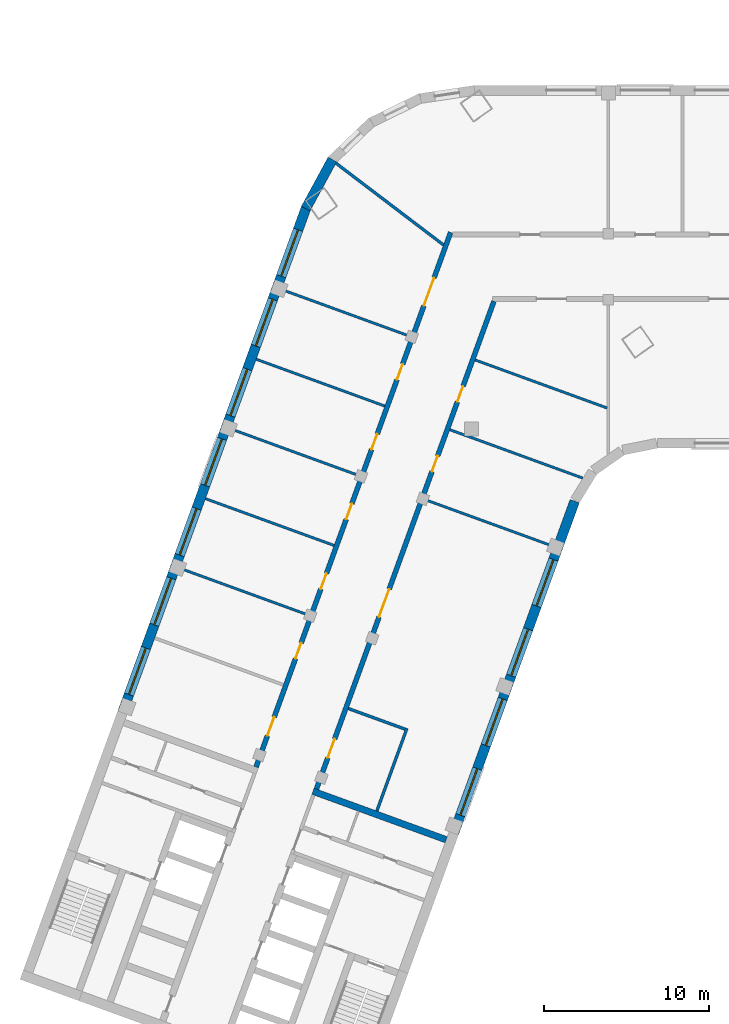
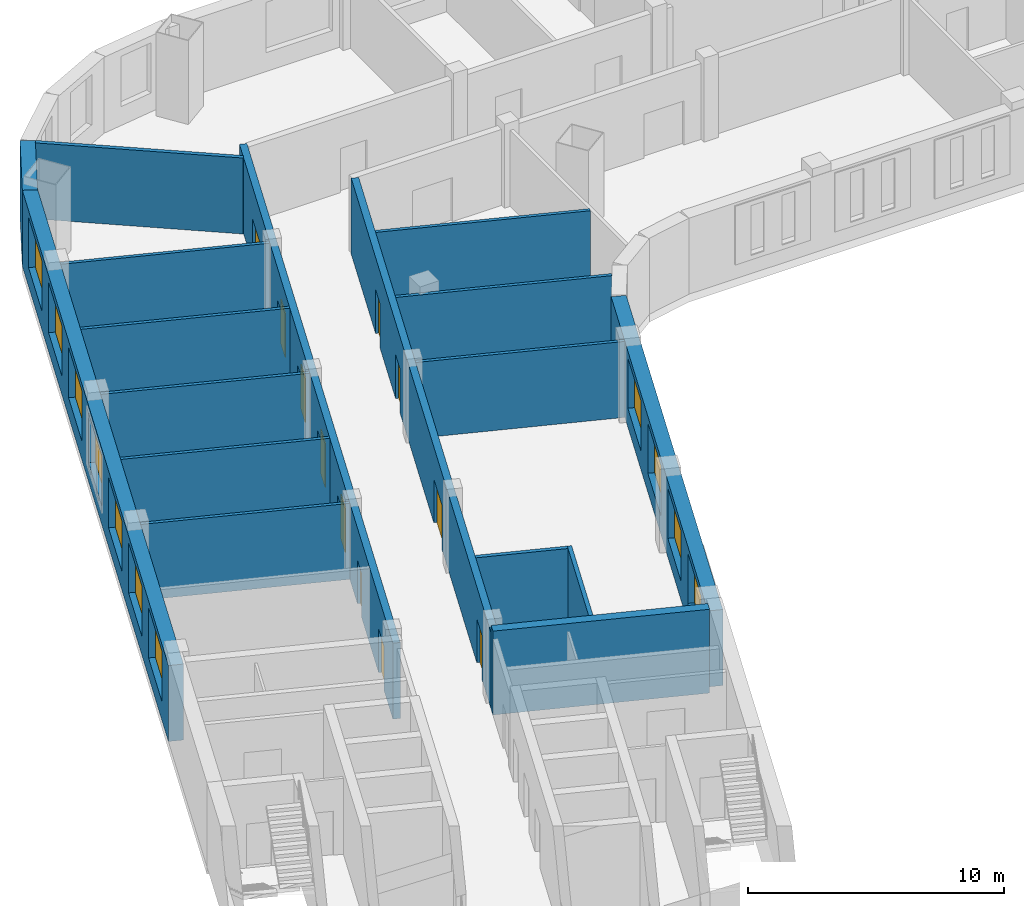
# One storey, part 5 of 11: 17 walls, 11 doors, 11 windows, 22 openings.
"""IFC4 building model written with IfcOpenShell, lengths in metres."""

import ifcopenshell
import ifcopenshell.guid

model = None  # the IFC model being written
_history = None  # IfcOwnerHistory: only IFC2X3 demands one
_inside = {}  # id of a spatial element -> (the spatial element, [elements in it])
_under = {}  # id of a project, library or spatial element -> (it, [spatial elements below it])
_declared = {}  # id of a project -> (the project, [libraries it declares])
_typed = {}  # id of a type object -> (the type object, [elements of that type])
_made_of = {}  # id of a material, layer set ... -> (it, [elements and type objects made of it])


def new_model(schema):
    """Start an empty IFC model of exactly this schema.

    Asked for "IFC4X3", IfcOpenShell would pick the latest addendum, in which some entities
    have other attributes; the version numbers below select the first issue.
    IFC2X3 requires an IfcOwnerHistory on every rooted entity: one is made here for all.
    """
    global model, _history
    if schema == "IFC4X3":
        model = ifcopenshell.file(schema_version=(4, 3, 0, 0))
    else:
        model = ifcopenshell.file(schema=schema)
    _inside.clear()
    _under.clear()
    _declared.clear()
    _typed.clear()
    _made_of.clear()
    _history = None
    if model.schema == "IFC2X3":
        org = make("IfcOrganization", Name="unknown")
        user = make(
            "IfcPersonAndOrganization",
            ThePerson=make("IfcPerson", FamilyName="unknown"),
            TheOrganization=org,
        )
        app = make(
            "IfcApplication",
            ApplicationDeveloper=org,
            Version="unknown",
            ApplicationFullName="unknown",
            ApplicationIdentifier="unknown",
        )
        _history = make(
            "IfcOwnerHistory",
            OwningUser=user,
            OwningApplication=app,
            ChangeAction="ADDED",
            CreationDate=0,
        )
    return model


def make(cls, **values):
    """One entity of the class cls with the attributes given. An attribute that is None is left unset."""
    return model.create_entity(
        cls, **{name: value for name, value in values.items() if value is not None}
    )


def rooted(cls, **values):
    """An entity with a GlobalId (a new one), such as an element, a storey or a relation."""
    return make(cls, GlobalId=ifcopenshell.guid.new(), OwnerHistory=_history, **values)


def si_unit(unit_type, name, prefix=None):
    """IfcSIUnit, for example si_unit("LENGTHUNIT", "METRE", prefix="MILLI")."""
    return make("IfcSIUnit", UnitType=unit_type, Prefix=prefix, Name=name)


def assignment(units):
    """IfcUnitAssignment: the units of a project."""
    return None if units is None else make("IfcUnitAssignment", Units=units)


def point(xyz):
    """IfcCartesianPoint."""
    return None if xyz is None else make("IfcCartesianPoint", Coordinates=xyz)


def direction(xyz):
    """IfcDirection."""
    return None if xyz is None else make("IfcDirection", DirectionRatios=xyz)


def frame(location, z_axis=None, x_axis=None):
    """IfcAxis2Placement3D, a coordinate frame: its origin and axes. An axis left out is left unset."""
    return make(
        "IfcAxis2Placement3D",
        Location=point(location),
        Axis=direction(z_axis),
        RefDirection=direction(x_axis),
    )


def frame_2d(location, x_axis=None):
    """IfcAxis2Placement2D, a coordinate frame in the plane: its origin and x axis."""
    return make(
        "IfcAxis2Placement2D", Location=point(location), RefDirection=direction(x_axis)
    )


def origin():
    """The frame at (0, 0, 0) with its axes left unset."""
    return frame((0.0, 0.0, 0.0))


def place(relative_to, where):
    """IfcLocalPlacement: puts the frame where relative to a parent placement (None: the world)."""
    return make(
        "IfcLocalPlacement", PlacementRelTo=relative_to, RelativePlacement=where
    )


def context(
    kind, dimensions, precision=None, world=None, true_north=None, identifier=None
):
    """IfcGeometricRepresentationContext, for example the 3D "Model" context."""
    return make(
        "IfcGeometricRepresentationContext",
        ContextIdentifier=identifier,
        ContextType=kind,
        CoordinateSpaceDimension=dimensions,
        Precision=precision,
        WorldCoordinateSystem=world,
        TrueNorth=true_north,
    )


def subcontext(parent, identifier, kind, view, scale=None):
    """IfcGeometricRepresentationSubContext, for example "Body" below "Model"."""
    return make(
        "IfcGeometricRepresentationSubContext",
        ContextIdentifier=identifier,
        ContextType=kind,
        ParentContext=parent,
        TargetScale=scale,
        TargetView=view,
    )


def project(units=None, contexts=None):
    """IfcProject with its units and contexts."""
    return rooted(
        "IfcProject",
        Name="project",
        RepresentationContexts=contexts,
        UnitsInContext=assignment(units),
    )


def spatial(cls, under=None, at=None, **own):
    """A site, building, storey or space (cls), placed at a placement, below another one or the project."""
    s = rooted(cls, ObjectPlacement=at, **own)
    if under is not None:
        _under.setdefault(under.id(), (under, []))[1].append(s)
    return s


def profile(cls, at=None, kind="AREA", **sizes):
    """A parametric profile (cls). Its sizes go by their IFC names, for example OverallWidth=200.0."""
    return make(cls, ProfileType=kind, Position=at, **sizes)


def rectangle(**sizes):
    """IfcRectangleProfileDef."""
    return profile("IfcRectangleProfileDef", **sizes)


def extrude(swept, where, along, depth):
    """IfcExtrudedAreaSolid: the profile swept, set in the frame where, extruded along a direction by depth."""
    return make(
        "IfcExtrudedAreaSolid",
        SweptArea=swept,
        Position=where,
        ExtrudedDirection=direction(along),
        Depth=depth,
    )


def shape(context_of_items, identifier, shape_type, items):
    """IfcShapeRepresentation: the items that make up one representation, for example the "Body"."""
    return make(
        "IfcShapeRepresentation",
        ContextOfItems=context_of_items,
        RepresentationIdentifier=identifier,
        RepresentationType=shape_type,
        Items=items,
    )


def material(Name=None, Category=None):
    """IfcMaterial."""
    return make("IfcMaterial", Name=Name, Category=Category)


def layer(
    of_material, thickness, ventilated=None, Name=None, Category=None, Priority=None
):
    """IfcMaterialLayer: one layer of a wall or slab, of a material (None: an air gap)."""
    return make(
        "IfcMaterialLayer",
        Material=of_material,
        LayerThickness=thickness,
        IsVentilated=ventilated,
        Name=Name,
        Category=Category,
        Priority=Priority,
    )


def layer_set(layers, Name=None):
    """IfcMaterialLayerSet."""
    return make("IfcMaterialLayerSet", MaterialLayers=layers, LayerSetName=Name)


def made_of(thing, what):
    """Note that an element or type object is made of a material, layer set ...; save() writes the relation."""
    if what is not None:
        _made_of.setdefault(what.id(), (what, []))[1].append(thing)
    return thing


def type_object(cls, material=None, **own):
    """A type object (cls), such as IfcWallType, which elements share."""
    return made_of(rooted(cls, **own), material)


def element(
    cls,
    number,
    at=None,
    inside=None,
    cuts=None,
    type_object=None,
    material=None,
    context=None,
    identifier="Body",
    shape_type=None,
    held_by="IfcProductDefinitionShape",
    body=None,
    shapes=None,
    **own,
):
    """One element of the class cls, such as IfcWall. Its Tag is "e" and its number.

    at: its placement. inside: the storey or other place that contains it. cuts: it is an
    opening in that element (IfcRelVoidsElement). A single representation is given by context,
    identifier, shape_type and body (its items); several are given by shapes. held_by: the class
    of the entity that holds the representations. save() writes the other relations.
    """
    e = rooted(cls, Tag="e%d" % number, ObjectPlacement=at, **own)
    if body is not None:
        shapes = [shape(context, identifier, shape_type, body)]
    if shapes is not None:
        e.Representation = make(held_by, Representations=shapes)
    if inside is not None:
        _inside.setdefault(inside.id(), (inside, []))[1].append(e)
    if cuts is not None:
        rooted(
            "IfcRelVoidsElement", RelatingBuildingElement=cuts, RelatedOpeningElement=e
        )
    if type_object is not None:
        _typed.setdefault(type_object.id(), (type_object, []))[1].append(e)
    return made_of(e, material)


def fill(opening, filler):
    """IfcRelFillsElement: the door or window that sits in an opening."""
    return rooted(
        "IfcRelFillsElement",
        RelatingOpeningElement=opening,
        RelatedBuildingElement=filler,
    )


def aggregate(whole, parts):
    """IfcRelAggregates: a whole, such as a stair, and the parts it consists of."""
    return rooted("IfcRelAggregates", RelatingObject=whole, RelatedObjects=parts)


def save(model, path):
    """Write the relations noted so far, then the file.

    IfcRelAggregates (storeys below a building ...), IfcRelContainedInSpatialStructure (elements
    in a storey), IfcRelDefinesByType, IfcRelAssociatesMaterial and IfcRelDeclares: one each for
    every whole, place, type object, material and project.
    """
    for whole, parts in _under.values():
        aggregate(whole, parts)
    for where, things in _inside.values():
        rooted(
            "IfcRelContainedInSpatialStructure",
            RelatedElements=things,
            RelatingStructure=where,
        )
    for kind, things in _typed.values():
        rooted("IfcRelDefinesByType", RelatedObjects=things, RelatingType=kind)
    for what, things in _made_of.values():
        rooted("IfcRelAssociatesMaterial", RelatedObjects=things, RelatingMaterial=what)
    for by, libraries in _declared.values():
        rooted("IfcRelDeclares", RelatingContext=by, RelatedDefinitions=libraries)
    model.write(path)


model = new_model("IFC4")

# Units and contexts
model_context = context("Model", 3, precision=1e-05, world=origin(), true_north=direction((0.0, 1.0)))
body_context = subcontext(model_context, "Body", "Model", "MODEL_VIEW")
ifc_project = project(units=[si_unit("LENGTHUNIT", "METRE"), si_unit("AREAUNIT", "SQUARE_METRE"), si_unit("VOLUMEUNIT", "CUBIC_METRE"), si_unit("PLANEANGLEUNIT", "RADIAN"), si_unit("MASSUNIT", "GRAM", prefix="KILO")], contexts=[model_context])

# Site, building, storey
site_placement = place(None, origin())
site = spatial("IfcSite", under=ifc_project, at=site_placement, CompositionType="ELEMENT")
building_placement = place(site_placement, origin())
building = spatial("IfcBuilding", under=site, at=building_placement, Name="Skarvind Civic Tower", CompositionType="ELEMENT")
storey_placement = place(building_placement, frame((0.0, 0.0, 113.0)))
storey = spatial("IfcBuildingStorey", under=building, at=storey_placement, Name="L26", CompositionType="ELEMENT", Elevation=113.0)

# Walls
ifc_material_1 = material(Name="Acoustic gypsum board on steel studs", Category="steel")
ifc_layer_1 = layer(ifc_material_1, 0.175048828125)
ifc_layer_set_1 = layer_set([ifc_layer_1], Name="ACOUSTIC MEETING-ROOM PARTITION 175")
wall_type_1 = type_object("IfcWallType", Name="ACOUSTIC MEETING-ROOM PARTITION 175", PredefinedType="PARTITIONING", material=ifc_layer_set_1)
wall_1_placement = place(storey_placement, frame((38.48193359375, 101.2060546875, 0.0), z_axis=(0.0, 0.0, 1.0), x_axis=(0.939662978983, -0.342101572531, 0.0)))
element("IfcWall", 1, at=wall_1_placement, inside=storey, type_object=wall_type_1, Name="Partition 26.007", PredefinedType="PARTITIONING", context=body_context, shape_type="SweptSolid", body=[
    extrude(rectangle(XDim=3.6630859375, YDim=0.175048828125, at=frame_2d((1.83154296875, 0.0))), origin(), (0.0, 0.0, 1.0), 3.625),
])
wall_2_placement = place(storey_placement, frame((42.035888671875, 100.0048828125, 0.0), z_axis=(0.0, 0.0, 1.0), x_axis=(-0.341908323648, -0.939733312286, 0.0)))
element("IfcWall", 2, at=wall_2_placement, inside=storey, type_object=wall_type_1, Name="Partition 26.008", PredefinedType="PARTITIONING", context=body_context, shape_type="SweptSolid", body=[
    extrude(rectangle(XDim=5.337646484375, YDim=0.175048828125, at=frame_2d((2.6689453125, 0.0))), origin(), (0.0, 0.0, 1.0), 3.625),
])
wall_3_placement = place(storey_placement, frame((44.256103515625, 129.326904296875, 0.0), z_axis=(0.0, 0.0, 1.0), x_axis=(-0.796040504107, 0.605243352563, 0.0)))
element("IfcWall", 3, at=wall_3_placement, inside=storey, type_object=wall_type_1, Name="Partition 26.011", PredefinedType="PARTITIONING", context=body_context, shape_type="SweptSolid", body=[
    extrude(rectangle(XDim=8.197021484375, YDim=0.175048828125, at=frame_2d((4.0986328125, 0.0))), origin(), (0.0, 0.0, 1.0), 3.625),
])

# Wall, openings, doors
ifc_material_2 = material(Name="Fire-rated gypsum board on steel studs", Category="steel")
ifc_layer_2 = layer(ifc_material_2, 0.300048828125)
ifc_layer_set_2 = layer_set([ifc_layer_2], Name="CORRIDOR WALL 300")
wall_type_2 = type_object("IfcWallType", Name="CORRIDOR WALL 300", PredefinedType="PARTITIONING", material=ifc_layer_set_2)
wall_4_placement = place(storey_placement, frame((32.881103515625, 97.656982421875, 0.0), z_axis=(0.0, 0.0, 1.0), x_axis=(0.342017360004, 0.939693633828, 0.0)))
wall_4 = element("IfcWall", 4, at=wall_4_placement, inside=storey, type_object=wall_type_2, Name="Partition 26.005", PredefinedType="PARTITIONING", context=body_context, shape_type="SweptSolid", body=[
    extrude(rectangle(XDim=34.515625, YDim=0.300048828125, at=frame_2d((17.2578125, 0.0))), origin(), (0.0, 0.0, 1.0), 3.625),
])
opening_1_placement = place(wall_4_placement, frame((2.02490234375, 0.0, 0.0)))
opening_1 = element("IfcOpeningElement", 5, at=opening_1_placement, cuts=wall_4, Name="Opening L26-D017", PredefinedType="OPENING", context=body_context, shape_type="SweptSolid", body=[
    extrude(rectangle(XDim=1.199951171875, YDim=2.10009765625, at=frame_2d((0.60009765625, 1.050048828125))), frame((0.0, 0.159912109375, 0.0), z_axis=(0.0, -1.0, 0.0), x_axis=(1.0, 0.0, 0.0)), (0.0, 0.0, 1.0), 0.320068359375),
])
opening_2_placement = place(wall_4_placement, frame((6.999755859375, 0.0, 0.0)))
opening_2 = element("IfcOpeningElement", 6, at=opening_2_placement, cuts=wall_4, Name="Opening L26-D018", PredefinedType="OPENING", context=body_context, shape_type="SweptSolid", body=[
    extrude(rectangle(XDim=1.0, YDim=2.10009765625, at=frame_2d((0.5, 1.050048828125))), frame((0.0, 0.159912109375, 0.0), z_axis=(0.0, -1.0, 0.0), x_axis=(1.0, 0.0, 0.0)), (0.0, 0.0, 1.0), 0.320068359375),
])
opening_3_placement = place(wall_4_placement, frame((11.500244140625, 0.0, 0.0)))
opening_3 = element("IfcOpeningElement", 7, at=opening_3_placement, cuts=wall_4, Name="Opening L26-D019", PredefinedType="OPENING", context=body_context, shape_type="SweptSolid", body=[
    extrude(rectangle(XDim=1.0, YDim=2.10009765625, at=frame_2d((0.5, 1.050048828125))), frame((0.0, 0.159912109375, 0.0), z_axis=(0.0, -1.0, 0.0), x_axis=(1.0, 0.0, 0.0)), (0.0, 0.0, 1.0), 0.320068359375),
])
opening_4_placement = place(wall_4_placement, frame((16.0, 0.0, 0.0)))
opening_4 = element("IfcOpeningElement", 8, at=opening_4_placement, cuts=wall_4, Name="Opening L26-D020", PredefinedType="OPENING", context=body_context, shape_type="SweptSolid", body=[
    extrude(rectangle(XDim=1.0, YDim=2.10009765625, at=frame_2d((0.5, 1.050048828125))), frame((0.0, 0.159912109375, 0.0), z_axis=(0.0, -1.0, 0.0), x_axis=(1.0, 0.0, 0.0)), (0.0, 0.0, 1.0), 0.320068359375),
])
opening_5_placement = place(wall_4_placement, frame((20.5, 0.0, 0.0)))
opening_5 = element("IfcOpeningElement", 9, at=opening_5_placement, cuts=wall_4, Name="Opening L26-D021", PredefinedType="OPENING", context=body_context, shape_type="SweptSolid", body=[
    extrude(rectangle(XDim=1.0, YDim=2.10009765625, at=frame_2d((0.5, 1.050048828125))), frame((0.0, 0.159912109375, 0.0), z_axis=(0.0, -1.0, 0.0), x_axis=(1.0, 0.0, 0.0)), (0.0, 0.0, 1.0), 0.320068359375),
])
opening_6_placement = place(wall_4_placement, frame((25.000244140625, 0.0, 0.0)))
opening_6 = element("IfcOpeningElement", 10, at=opening_6_placement, cuts=wall_4, Name="Opening L26-D022", PredefinedType="OPENING", context=body_context, shape_type="SweptSolid", body=[
    extrude(rectangle(XDim=1.0, YDim=2.10009765625, at=frame_2d((0.5, 1.050048828125))), frame((0.0, 0.159912109375, 0.0), z_axis=(0.0, -1.0, 0.0), x_axis=(1.0, 0.0, 0.0)), (0.0, 0.0, 1.0), 0.320068359375),
])
opening_7_placement = place(wall_4_placement, frame((29.778564453125, 0.0, 0.0)))
opening_7 = element("IfcOpeningElement", 11, at=opening_7_placement, cuts=wall_4, Name="Opening L26-D028", PredefinedType="OPENING", context=body_context, shape_type="SweptSolid", body=[
    extrude(rectangle(XDim=1.800048828125, YDim=2.10009765625, at=frame_2d((0.89990234375, 1.050048828125))), frame((0.0, 0.159912109375, 0.0), z_axis=(0.0, -1.0, 0.0), x_axis=(1.0, 0.0, 0.0)), (0.0, 0.0, 1.0), 0.320068359375),
])
ifc_material_3 = material(Name="Fire-rated timber door leaf", Category="wood")
door_type_1 = type_object("IfcDoorType", Name="FD1 1000x2100", OperationType="NOTDEFINED", PredefinedType="DOOR", material=ifc_material_3)
door_1_placement = place(opening_2_placement, origin())
door_1 = element("IfcDoor", 12, at=door_1_placement, inside=storey, type_object=door_type_1, Name="Door L26-D018", OperationType="SINGLE_SWING_LEFT", OverallHeight=2.10009765625, OverallWidth=1.0, PredefinedType="DOOR", context=body_context, shape_type="SweptSolid", body=[
    extrude(rectangle(XDim=1.0, YDim=2.10009765625, at=frame_2d((0.5, 1.050048828125))), frame((0.0, 0.02490234375, 0.0), z_axis=(0.0, -1.0, 0.0), x_axis=(1.0, 0.0, 0.0)), (0.0, 0.0, 1.0), 0.050048828125),
])
fill(opening_2, door_1)
door_2_placement = place(opening_3_placement, origin())
door_2 = element("IfcDoor", 13, at=door_2_placement, inside=storey, type_object=door_type_1, Name="Door L26-D019", OperationType="SINGLE_SWING_RIGHT", OverallHeight=2.10009765625, OverallWidth=1.0, PredefinedType="DOOR", context=body_context, shape_type="SweptSolid", body=[
    extrude(rectangle(XDim=1.0, YDim=2.10009765625, at=frame_2d((0.5, 1.050048828125))), frame((0.0, 0.02490234375, 0.0), z_axis=(0.0, -1.0, 0.0), x_axis=(1.0, 0.0, 0.0)), (0.0, 0.0, 1.0), 0.050048828125),
])
fill(opening_3, door_2)
door_3_placement = place(opening_4_placement, origin())
door_3 = element("IfcDoor", 14, at=door_3_placement, inside=storey, type_object=door_type_1, Name="Door L26-D020", OperationType="SINGLE_SWING_LEFT", OverallHeight=2.10009765625, OverallWidth=1.0, PredefinedType="DOOR", context=body_context, shape_type="SweptSolid", body=[
    extrude(rectangle(XDim=1.0, YDim=2.10009765625, at=frame_2d((0.5, 1.050048828125))), frame((0.0, 0.02490234375, 0.0), z_axis=(0.0, -1.0, 0.0), x_axis=(1.0, 0.0, 0.0)), (0.0, 0.0, 1.0), 0.050048828125),
])
fill(opening_4, door_3)
door_4_placement = place(opening_5_placement, origin())
door_4 = element("IfcDoor", 15, at=door_4_placement, inside=storey, type_object=door_type_1, Name="Door L26-D021", OperationType="SINGLE_SWING_LEFT", OverallHeight=2.10009765625, OverallWidth=1.0, PredefinedType="DOOR", context=body_context, shape_type="SweptSolid", body=[
    extrude(rectangle(XDim=1.0, YDim=2.10009765625, at=frame_2d((0.5, 1.050048828125))), frame((0.0, 0.02490234375, 0.0), z_axis=(0.0, -1.0, 0.0), x_axis=(1.0, 0.0, 0.0)), (0.0, 0.0, 1.0), 0.050048828125),
])
fill(opening_5, door_4)
door_5_placement = place(opening_6_placement, origin())
door_5 = element("IfcDoor", 16, at=door_5_placement, inside=storey, type_object=door_type_1, Name="Door L26-D022", OperationType="SINGLE_SWING_RIGHT", OverallHeight=2.10009765625, OverallWidth=1.0, PredefinedType="DOOR", context=body_context, shape_type="SweptSolid", body=[
    extrude(rectangle(XDim=1.0, YDim=2.10009765625, at=frame_2d((0.5, 1.050048828125))), frame((0.0, 0.02490234375, 0.0), z_axis=(0.0, -1.0, 0.0), x_axis=(1.0, 0.0, 0.0)), (0.0, 0.0, 1.0), 0.050048828125),
])
fill(opening_6, door_5)
door_type_2 = type_object("IfcDoorType", Name="FD4 1800x2100", OperationType="NOTDEFINED", PredefinedType="DOOR", material=ifc_material_3)
door_6_placement = place(opening_7_placement, origin())
door_6 = element("IfcDoor", 17, at=door_6_placement, inside=storey, type_object=door_type_2, Name="Door L26-D028", OperationType="DOUBLE_DOOR_SINGLE_SWING", OverallHeight=2.10009765625, OverallWidth=1.800048828125, PredefinedType="DOOR", context=body_context, shape_type="SweptSolid", body=[
    extrude(rectangle(XDim=1.800048828125, YDim=2.10009765625, at=frame_2d((0.89990234375, 1.050048828125))), frame((0.0, 0.02490234375, 0.0), z_axis=(0.0, -1.0, 0.0), x_axis=(1.0, 0.0, 0.0)), (0.0, 0.0, 1.0), 0.050048828125),
])
fill(opening_7, door_6)
door_type_3 = type_object("IfcDoorType", Name="FD6 1200x2100 DOUBLE", OperationType="NOTDEFINED", PredefinedType="DOOR", material=ifc_material_3)
door_7_placement = place(opening_1_placement, origin())
door_7 = element("IfcDoor", 18, at=door_7_placement, inside=storey, type_object=door_type_3, Name="Door L26-D017", OperationType="DOUBLE_DOOR_SINGLE_SWING", OverallHeight=2.10009765625, OverallWidth=1.199951171875, PredefinedType="DOOR", context=body_context, shape_type="SweptSolid", body=[
    extrude(rectangle(XDim=1.199951171875, YDim=2.10009765625, at=frame_2d((0.60009765625, 1.050048828125))), frame((0.0, 0.02490234375, 0.0), z_axis=(0.0, -1.0, 0.0), x_axis=(1.0, 0.0, 0.0)), (0.0, 0.0, 1.0), 0.050048828125),
])
fill(opening_1, door_7)

wall_5_placement = place(storey_placement, frame((47.31396484375, 125.908935546875, 0.0), z_axis=(0.0, 0.0, 1.0), x_axis=(-0.342010770371, -0.939696032209, 0.0)))
wall_5 = element("IfcWall", 19, at=wall_5_placement, inside=storey, type_object=wall_type_2, Name="Partition 26.014", PredefinedType="PARTITIONING", context=body_context, shape_type="SweptSolid", body=[
    extrude(rectangle(XDim=31.484619140625, YDim=0.300048828125, at=frame_2d((15.7421875, 0.0))), origin(), (0.0, 0.0, 1.0), 3.625),
])
opening_8_placement = place(wall_5_placement, frame((28.25927734375, 0.0, 0.0)))
opening_8 = element("IfcOpeningElement", 20, at=opening_8_placement, cuts=wall_5, Name="Opening L26-D023", PredefinedType="OPENING", context=body_context, shape_type="SweptSolid", body=[
    extrude(rectangle(XDim=1.199951171875, YDim=2.10009765625, at=frame_2d((0.60009765625, 1.050048828125))), frame((0.0, 0.159912109375, 0.0), z_axis=(0.0, -1.0, 0.0), x_axis=(1.0, 0.0, 0.0)), (0.0, 0.0, 1.0), 0.320068359375),
])
opening_9_placement = place(wall_5_placement, frame((18.58447265625, 0.0, 0.0)))
opening_9 = element("IfcOpeningElement", 21, at=opening_9_placement, cuts=wall_5, Name="Opening L26-D024", PredefinedType="OPENING", context=body_context, shape_type="SweptSolid", body=[
    extrude(rectangle(XDim=1.800048828125, YDim=2.10009765625, at=frame_2d((0.89990234375, 1.050048828125))), frame((0.0, 0.159912109375, 0.0), z_axis=(0.0, -1.0, 0.0), x_axis=(1.0, 0.0, 0.0)), (0.0, 0.0, 1.0), 0.320068359375),
])
opening_10_placement = place(wall_5_placement, frame((9.984619140625, 0.0, 0.0)))
opening_10 = element("IfcOpeningElement", 22, at=opening_10_placement, cuts=wall_5, Name="Opening L26-D025", PredefinedType="OPENING", context=body_context, shape_type="SweptSolid", body=[
    extrude(rectangle(XDim=1.0, YDim=2.10009765625, at=frame_2d((0.5, 1.050048828125))), frame((0.0, 0.159912109375, 0.0), z_axis=(0.0, -1.0, 0.0), x_axis=(1.0, 0.0, 0.0)), (0.0, 0.0, 1.0), 0.320068359375),
])
opening_11_placement = place(wall_5_placement, frame((5.484130859375, 0.0, 0.0)))
opening_11 = element("IfcOpeningElement", 23, at=opening_11_placement, cuts=wall_5, Name="Opening L26-D026", PredefinedType="OPENING", context=body_context, shape_type="SweptSolid", body=[
    extrude(rectangle(XDim=1.0, YDim=2.10009765625, at=frame_2d((0.5, 1.050048828125))), frame((0.0, 0.159912109375, 0.0), z_axis=(0.0, -1.0, 0.0), x_axis=(1.0, 0.0, 0.0)), (0.0, 0.0, 1.0), 0.320068359375),
])
door_8_placement = place(opening_10_placement, origin())
door_8 = element("IfcDoor", 24, at=door_8_placement, inside=storey, type_object=door_type_1, Name="Door L26-D025", OperationType="SINGLE_SWING_LEFT", OverallHeight=2.10009765625, OverallWidth=1.0, PredefinedType="DOOR", context=body_context, shape_type="SweptSolid", body=[
    extrude(rectangle(XDim=1.0, YDim=2.10009765625, at=frame_2d((0.5, 1.050048828125))), frame((0.0, 0.02490234375, 0.0), z_axis=(0.0, -1.0, 0.0), x_axis=(1.0, 0.0, 0.0)), (0.0, 0.0, 1.0), 0.050048828125),
])
fill(opening_10, door_8)
door_9_placement = place(opening_11_placement, origin())
door_9 = element("IfcDoor", 25, at=door_9_placement, inside=storey, type_object=door_type_1, Name="Door L26-D026", OperationType="SINGLE_SWING_LEFT", OverallHeight=2.10009765625, OverallWidth=1.0, PredefinedType="DOOR", context=body_context, shape_type="SweptSolid", body=[
    extrude(rectangle(XDim=1.0, YDim=2.10009765625, at=frame_2d((0.5, 1.050048828125))), frame((0.0, 0.02490234375, 0.0), z_axis=(0.0, -1.0, 0.0), x_axis=(1.0, 0.0, 0.0)), (0.0, 0.0, 1.0), 0.050048828125),
])
fill(opening_11, door_9)
door_10_placement = place(opening_9_placement, origin())
door_10 = element("IfcDoor", 26, at=door_10_placement, inside=storey, type_object=door_type_2, Name="Door L26-D024", OperationType="DOUBLE_DOOR_SINGLE_SWING", OverallHeight=2.10009765625, OverallWidth=1.800048828125, PredefinedType="DOOR", context=body_context, shape_type="SweptSolid", body=[
    extrude(rectangle(XDim=1.800048828125, YDim=2.10009765625, at=frame_2d((0.89990234375, 1.050048828125))), frame((0.0, 0.02490234375, 0.0), z_axis=(0.0, -1.0, 0.0), x_axis=(1.0, 0.0, 0.0)), (0.0, 0.0, 1.0), 0.050048828125),
])
fill(opening_9, door_10)
door_11_placement = place(opening_8_placement, origin())
door_11 = element("IfcDoor", 27, at=door_11_placement, inside=storey, type_object=door_type_3, Name="Door L26-D023", OperationType="DOUBLE_DOOR_SINGLE_SWING", OverallHeight=2.10009765625, OverallWidth=1.199951171875, PredefinedType="DOOR", context=body_context, shape_type="SweptSolid", body=[
    extrude(rectangle(XDim=1.199951171875, YDim=2.10009765625, at=frame_2d((0.60009765625, 1.050048828125))), frame((0.0, 0.02490234375, 0.0), z_axis=(0.0, -1.0, 0.0), x_axis=(1.0, 0.0, 0.0)), (0.0, 0.0, 1.0), 0.050048828125),
])
fill(opening_8, door_11)

# Walls
ifc_material_4 = material(Name="Concrete C80", Category="concrete")
ifc_layer_3 = layer(ifc_material_4, 0.39990234375)
ifc_layer_set_3 = layer_set([ifc_layer_3], Name="Core wall 400 C80")
wall_type_3 = type_object("IfcWallType", Name="Core wall 400 C80", PredefinedType="SHEAR", material=ifc_layer_set_3)
wall_6_placement = place(storey_placement, frame((44.417724609375, 93.2451171875, 0.0), z_axis=(0.0, 0.0, 1.0), x_axis=(-0.93969060187, 0.342025690201, 0.0)))
element("IfcWall", 28, at=wall_6_placement, inside=storey, type_object=wall_type_3, Name="Core wall C2 south inner face L26", PredefinedType="SHEAR", context=body_context, shape_type="SweptSolid", body=[
    extrude(rectangle(XDim=8.599853515625, YDim=0.39990234375, at=frame_2d((4.2998046875, 0.0))), origin(), (0.0, 0.0, 1.0), 4.0),
])
ifc_material_5 = material(Name="Plasterboard partition on steel studs", Category="steel")
ifc_layer_4 = layer(ifc_material_5, 0.14990234375)
ifc_layer_set_4 = layer_set([ifc_layer_4], Name="PARTITION 150")
wall_type_4 = type_object("IfcWallType", Name="PARTITION 150", PredefinedType="PARTITIONING", material=ifc_layer_set_4)
for number, where, z_axis, x_axis, name in (
    (29, (28.27490234375, 109.708984375, 0.0), (0.0, 0.0, 1.0), (0.939697205528, -0.342007546586, 0.0), "Partition 26.002"),
    (30, (29.81396484375, 113.93798828125, 0.0), (0.0, 0.0, 1.0), (0.939697205528, -0.342007546586, 0.0), "Partition 26.003"),
):
    element("IfcWall", number, at=place(storey_placement, frame(where, z_axis=z_axis, x_axis=x_axis)), inside=storey, type_object=wall_type_4, Name=name, PredefinedType="PARTITIONING", context=body_context, shape_type="SweptSolid", body=[
        extrude(rectangle(XDim=8.300537109375, YDim=0.14990234375, at=frame_2d((4.150390625, 0.0))), origin(), (0.0, 0.0, 1.0), 3.625),
    ])
wall_7_placement = place(storey_placement, frame((31.35302734375, 118.166015625, 0.0), z_axis=(0.0, 0.0, 1.0), x_axis=(0.939687752599, -0.342033518263, 0.0)))
element("IfcWall", 31, at=wall_7_placement, inside=storey, type_object=wall_type_4, Name="Partition 26.004", PredefinedType="PARTITIONING", context=body_context, shape_type="SweptSolid", body=[
    extrude(rectangle(XDim=8.30078125, YDim=0.14990234375, at=frame_2d((4.150390625, 0.0))), origin(), (0.0, 0.0, 1.0), 3.625),
])
wall_8_placement = place(storey_placement, frame((32.89208984375, 122.39501953125, 0.0), z_axis=(0.0, 0.0, 1.0), x_axis=(0.939684311623, -0.3420429717, 0.0)))
element("IfcWall", 32, at=wall_8_placement, inside=storey, type_object=wall_type_4, Name="Partition 26.006", PredefinedType="PARTITIONING", context=body_context, shape_type="SweptSolid", body=[
    extrude(rectangle(XDim=8.300537109375, YDim=0.14990234375, at=frame_2d((4.150390625, 0.0))), origin(), (0.0, 0.0, 1.0), 3.625),
])
wall_9_placement = place(storey_placement, frame((42.23095703125, 123.784912109375, 0.0), z_axis=(0.0, 0.0, 1.0), x_axis=(-0.939687752599, 0.342033518263, 0.0)))
element("IfcWall", 33, at=wall_9_placement, inside=storey, type_object=wall_type_4, Name="Partition 26.009", PredefinedType="PARTITIONING", context=body_context, shape_type="SweptSolid", body=[
    extrude(rectangle(XDim=8.30078125, YDim=0.14990234375, at=frame_2d((4.150390625, 0.0))), origin(), (0.0, 0.0, 1.0), 3.625),
])
wall_10_placement = place(storey_placement, frame((43.10009765625, 113.89111328125, 0.0), z_axis=(0.0, 0.0, 1.0), x_axis=(0.939670544866, -0.342080790328, 0.0)))
element("IfcWall", 34, at=wall_10_placement, inside=storey, type_object=wall_type_4, Name="Partition 26.010", PredefinedType="PARTITIONING", context=body_context, shape_type="SweptSolid", body=[
    extrude(rectangle(XDim=8.299560546875, YDim=0.14990234375, at=frame_2d((4.14990234375, 0.0))), origin(), (0.0, 0.0, 1.0), 3.625),
])
wall_11_placement = place(storey_placement, frame((44.638916015625, 118.1201171875, 0.0), z_axis=(0.0, 0.0, 1.0), x_axis=(0.939669707102, -0.342083091593, 0.0)))
element("IfcWall", 35, at=wall_11_placement, inside=storey, type_object=wall_type_4, Name="Partition 26.012", PredefinedType="PARTITIONING", context=body_context, shape_type="SweptSolid", body=[
    extrude(rectangle(XDim=8.58935546875, YDim=0.14990234375, at=frame_2d((4.294677734375, 0.0))), origin(), (0.0, 0.0, 1.0), 3.625),
])
wall_12_placement = place(storey_placement, frame((54.179931640625, 119.43603515625, 0.0), z_axis=(0.0, 0.0, 1.0), x_axis=(-0.939669476286, 0.342083725624, 0.0)))
element("IfcWall", 36, at=wall_12_placement, inside=storey, type_object=wall_type_4, Name="Partition 26.016", PredefinedType="PARTITIONING", context=body_context, shape_type="SweptSolid", body=[
    extrude(rectangle(XDim=8.515625, YDim=0.14990234375, at=frame_2d((4.2578125, 0.0))), origin(), (0.0, 0.0, 1.0), 3.625),
])

# Wall, openings, windows
ifc_material_6 = material(Name="Limestone masonry cladding on insulated backing", Category="masonry")
ifc_layer_5 = layer(ifc_material_6, 0.60009765625)
ifc_layer_set_5 = layer_set([ifc_layer_5], Name="WX1 STONE FACADE WALL 600")
wall_type_5 = type_object("IfcWallType", Name="WX1 STONE FACADE WALL 600", PredefinedType="SOLIDWALL", material=ifc_layer_set_5)
wall_13_placement = place(storey_placement, frame((52.212158203125, 113.78271484375, 0.0), z_axis=(0.0, 0.0, 1.0), x_axis=(-0.34202521188, -0.939690775968, 0.0)))
wall_13 = element("IfcWall", 37, at=wall_13_placement, inside=storey, type_object=wall_type_5, Name="STONE FACADE WALL", PredefinedType="SOLIDWALL", context=body_context, shape_type="SweptSolid", body=[
    extrude(rectangle(XDim=21.744873046875, YDim=0.60009765625, at=frame_2d((10.87255859375, 0.0))), origin(), (0.0, 0.0, 1.0), 3.625),
])
opening_12_placement = place(wall_13_placement, frame((3.764892578125, 0.0, 0.89990234375)))
opening_12 = element("IfcOpeningElement", 38, at=opening_12_placement, cuts=wall_13, Name="Opening WN1", PredefinedType="OPENING", context=body_context, shape_type="SweptSolid", body=[
    extrude(rectangle(XDim=3.0, YDim=2.39990234375, at=frame_2d((1.5, 1.199951171875))), frame((0.0, 0.31005859375, 0.0), z_axis=(0.0, -1.0, 0.0), x_axis=(1.0, 0.0, 0.0)), (0.0, 0.0, 1.0), 0.6201171875),
])
opening_13_placement = place(wall_13_placement, frame((8.264892578125, 0.0, 0.89990234375)))
opening_13 = element("IfcOpeningElement", 39, at=opening_13_placement, cuts=wall_13, Name="Opening WN1", PredefinedType="OPENING", context=body_context, shape_type="SweptSolid", body=[
    extrude(rectangle(XDim=3.0, YDim=2.39990234375, at=frame_2d((1.5, 1.199951171875))), frame((0.0, 0.31005859375, 0.0), z_axis=(0.0, -1.0, 0.0), x_axis=(1.0, 0.0, 0.0)), (0.0, 0.0, 1.0), 0.6201171875),
])
opening_14_placement = place(wall_13_placement, frame((12.764892578125, 0.0, 0.89990234375)))
opening_14 = element("IfcOpeningElement", 40, at=opening_14_placement, cuts=wall_13, Name="Opening WN1", PredefinedType="OPENING", context=body_context, shape_type="SweptSolid", body=[
    extrude(rectangle(XDim=3.0, YDim=2.39990234375, at=frame_2d((1.5, 1.199951171875))), frame((0.0, 0.31005859375, 0.0), z_axis=(0.0, -1.0, 0.0), x_axis=(1.0, 0.0, 0.0)), (0.0, 0.0, 1.0), 0.6201171875),
])
opening_15_placement = place(wall_13_placement, frame((17.264892578125, 0.0, 0.89990234375)))
opening_15 = element("IfcOpeningElement", 41, at=opening_15_placement, cuts=wall_13, Name="Opening WN1", PredefinedType="OPENING", context=body_context, shape_type="SweptSolid", body=[
    extrude(rectangle(XDim=3.0, YDim=2.39990234375, at=frame_2d((1.5, 1.199951171875))), frame((0.0, 0.31005859375, 0.0), z_axis=(0.0, -1.0, 0.0), x_axis=(1.0, 0.0, 0.0)), (0.0, 0.0, 1.0), 0.6201171875),
])
ifc_material_7 = material(Name="Timber frame, double glazing, timber-lined reveal", Category="wood")
window_type = type_object("IfcWindowType", Name="WN1 PUNCHED STONE WINDOW 3000 x 2400", PartitioningType="SINGLE_PANEL", PredefinedType="WINDOW", material=ifc_material_7)
window_1_placement = place(opening_12_placement, origin())
window_1 = element("IfcWindow", 42, at=window_1_placement, inside=storey, type_object=window_type, Name="WN1 WINDOW", OverallHeight=2.39990234375, OverallWidth=3.0, PartitioningType="SINGLE_PANEL", PredefinedType="WINDOW", context=body_context, shape_type="SweptSolid", body=[
    extrude(rectangle(XDim=3.0, YDim=2.39990234375, at=frame_2d((1.5, 1.199951171875))), frame((0.0, 0.030029296875, 0.0), z_axis=(0.0, -1.0, 0.0), x_axis=(1.0, 0.0, 0.0)), (0.0, 0.0, 1.0), 0.06005859375),
])
fill(opening_12, window_1)
window_2_placement = place(opening_13_placement, origin())
window_2 = element("IfcWindow", 43, at=window_2_placement, inside=storey, type_object=window_type, Name="WN1 WINDOW", OverallHeight=2.39990234375, OverallWidth=3.0, PartitioningType="SINGLE_PANEL", PredefinedType="WINDOW", context=body_context, shape_type="SweptSolid", body=[
    extrude(rectangle(XDim=3.0, YDim=2.39990234375, at=frame_2d((1.5, 1.199951171875))), frame((0.0, 0.030029296875, 0.0), z_axis=(0.0, -1.0, 0.0), x_axis=(1.0, 0.0, 0.0)), (0.0, 0.0, 1.0), 0.06005859375),
])
fill(opening_13, window_2)
window_3_placement = place(opening_14_placement, origin())
window_3 = element("IfcWindow", 44, at=window_3_placement, inside=storey, type_object=window_type, Name="WN1 WINDOW", OverallHeight=2.39990234375, OverallWidth=3.0, PartitioningType="SINGLE_PANEL", PredefinedType="WINDOW", context=body_context, shape_type="SweptSolid", body=[
    extrude(rectangle(XDim=3.0, YDim=2.39990234375, at=frame_2d((1.5, 1.199951171875))), frame((0.0, 0.030029296875, 0.0), z_axis=(0.0, -1.0, 0.0), x_axis=(1.0, 0.0, 0.0)), (0.0, 0.0, 1.0), 0.06005859375),
])
fill(opening_14, window_3)
window_4_placement = place(opening_15_placement, origin())
window_4 = element("IfcWindow", 45, at=window_4_placement, inside=storey, type_object=window_type, Name="WN1 WINDOW", OverallHeight=2.39990234375, OverallWidth=3.0, PartitioningType="SINGLE_PANEL", PredefinedType="WINDOW", context=body_context, shape_type="SweptSolid", body=[
    extrude(rectangle(XDim=3.0, YDim=2.39990234375, at=frame_2d((1.5, 1.199951171875))), frame((0.0, 0.030029296875, 0.0), z_axis=(0.0, -1.0, 0.0), x_axis=(1.0, 0.0, 0.0)), (0.0, 0.0, 1.0), 0.06005859375),
])
fill(opening_15, window_4)

# Wall
wall_14_placement = place(storey_placement, frame((35.89453125, 131.529541015625, 0.0), z_axis=(0.0, 0.0, 1.0), x_axis=(0.476531180538, 0.879157570618, 0.0)))
element("IfcWall", 46, at=wall_14_placement, inside=storey, type_object=wall_type_5, Name="STONE FACADE WALL", PredefinedType="SOLIDWALL", context=body_context, shape_type="SweptSolid", body=[
    extrude(rectangle(XDim=3.392578125, YDim=0.60009765625, at=frame_2d((1.6962890625, 0.0))), origin(), (0.0, 0.0, 1.0), 3.625),
])

# Wall, openings, windows
wall_15_placement = place(storey_placement, frame((24.66552734375, 100.668701171875, 0.0), z_axis=(0.0, 0.0, 1.0), x_axis=(0.34201964167, 0.939692803373, 0.0)))
wall_15 = element("IfcWall", 47, at=wall_15_placement, inside=storey, type_object=wall_type_5, Name="STONE FACADE WALL", PredefinedType="SOLIDWALL", context=body_context, shape_type="SweptSolid", body=[
    extrude(rectangle(XDim=32.88427734375, YDim=0.60009765625, at=frame_2d((16.442138671875, 0.0))), origin(), (0.0, 0.0, 1.0), 3.625),
])
opening_16_placement = place(wall_15_placement, frame((1.47998046875, 0.0, 0.89990234375)))
opening_16 = element("IfcOpeningElement", 48, at=opening_16_placement, cuts=wall_15, Name="Opening WN1", PredefinedType="OPENING", context=body_context, shape_type="SweptSolid", body=[
    extrude(rectangle(XDim=3.0, YDim=2.39990234375, at=frame_2d((1.5, 1.199951171875))), frame((0.0, 0.31005859375, 0.0), z_axis=(0.0, -1.0, 0.0), x_axis=(1.0, 0.0, 0.0)), (0.0, 0.0, 1.0), 0.6201171875),
])
opening_17_placement = place(wall_15_placement, frame((5.97998046875, 0.0, 0.89990234375)))
opening_17 = element("IfcOpeningElement", 49, at=opening_17_placement, cuts=wall_15, Name="Opening WN1", PredefinedType="OPENING", context=body_context, shape_type="SweptSolid", body=[
    extrude(rectangle(XDim=3.0, YDim=2.39990234375, at=frame_2d((1.5, 1.199951171875))), frame((0.0, 0.31005859375, 0.0), z_axis=(0.0, -1.0, 0.0), x_axis=(1.0, 0.0, 0.0)), (0.0, 0.0, 1.0), 0.6201171875),
])
opening_18_placement = place(wall_15_placement, frame((10.47998046875, 0.0, 0.89990234375)))
opening_18 = element("IfcOpeningElement", 50, at=opening_18_placement, cuts=wall_15, Name="Opening WN1", PredefinedType="OPENING", context=body_context, shape_type="SweptSolid", body=[
    extrude(rectangle(XDim=3.0, YDim=2.39990234375, at=frame_2d((1.5, 1.199951171875))), frame((0.0, 0.31005859375, 0.0), z_axis=(0.0, -1.0, 0.0), x_axis=(1.0, 0.0, 0.0)), (0.0, 0.0, 1.0), 0.6201171875),
])
opening_19_placement = place(wall_15_placement, frame((14.97998046875, 0.0, 0.89990234375)))
opening_19 = element("IfcOpeningElement", 51, at=opening_19_placement, cuts=wall_15, Name="Opening WN1", PredefinedType="OPENING", context=body_context, shape_type="SweptSolid", body=[
    extrude(rectangle(XDim=3.0, YDim=2.39990234375, at=frame_2d((1.5, 1.199951171875))), frame((0.0, 0.31005859375, 0.0), z_axis=(0.0, -1.0, 0.0), x_axis=(1.0, 0.0, 0.0)), (0.0, 0.0, 1.0), 0.6201171875),
])
opening_20_placement = place(wall_15_placement, frame((19.47998046875, 0.0, 0.89990234375)))
opening_20 = element("IfcOpeningElement", 52, at=opening_20_placement, cuts=wall_15, Name="Opening WN1", PredefinedType="OPENING", context=body_context, shape_type="SweptSolid", body=[
    extrude(rectangle(XDim=3.0, YDim=2.39990234375, at=frame_2d((1.5, 1.199951171875))), frame((0.0, 0.31005859375, 0.0), z_axis=(0.0, -1.0, 0.0), x_axis=(1.0, 0.0, 0.0)), (0.0, 0.0, 1.0), 0.6201171875),
])
opening_21_placement = place(wall_15_placement, frame((23.97998046875, 0.0, 0.89990234375)))
opening_21 = element("IfcOpeningElement", 53, at=opening_21_placement, cuts=wall_15, Name="Opening WN1", PredefinedType="OPENING", context=body_context, shape_type="SweptSolid", body=[
    extrude(rectangle(XDim=3.0, YDim=2.39990234375, at=frame_2d((1.5, 1.199951171875))), frame((0.0, 0.31005859375, 0.0), z_axis=(0.0, -1.0, 0.0), x_axis=(1.0, 0.0, 0.0)), (0.0, 0.0, 1.0), 0.6201171875),
])
opening_22_placement = place(wall_15_placement, frame((28.47998046875, 0.0, 0.89990234375)))
opening_22 = element("IfcOpeningElement", 54, at=opening_22_placement, cuts=wall_15, Name="Opening WN1", PredefinedType="OPENING", context=body_context, shape_type="SweptSolid", body=[
    extrude(rectangle(XDim=3.0, YDim=2.39990234375, at=frame_2d((1.5, 1.199951171875))), frame((0.0, 0.31005859375, 0.0), z_axis=(0.0, -1.0, 0.0), x_axis=(1.0, 0.0, 0.0)), (0.0, 0.0, 1.0), 0.6201171875),
])
window_5_placement = place(opening_16_placement, origin())
window_5 = element("IfcWindow", 55, at=window_5_placement, inside=storey, type_object=window_type, Name="WN1 WINDOW", OverallHeight=2.39990234375, OverallWidth=3.0, PartitioningType="SINGLE_PANEL", PredefinedType="WINDOW", context=body_context, shape_type="SweptSolid", body=[
    extrude(rectangle(XDim=3.0, YDim=2.39990234375, at=frame_2d((1.5, 1.199951171875))), frame((0.0, 0.030029296875, 0.0), z_axis=(0.0, -1.0, 0.0), x_axis=(1.0, 0.0, 0.0)), (0.0, 0.0, 1.0), 0.06005859375),
])
fill(opening_16, window_5)
window_6_placement = place(opening_17_placement, origin())
window_6 = element("IfcWindow", 56, at=window_6_placement, inside=storey, type_object=window_type, Name="WN1 WINDOW", OverallHeight=2.39990234375, OverallWidth=3.0, PartitioningType="SINGLE_PANEL", PredefinedType="WINDOW", context=body_context, shape_type="SweptSolid", body=[
    extrude(rectangle(XDim=3.0, YDim=2.39990234375, at=frame_2d((1.5, 1.199951171875))), frame((0.0, 0.030029296875, 0.0), z_axis=(0.0, -1.0, 0.0), x_axis=(1.0, 0.0, 0.0)), (0.0, 0.0, 1.0), 0.06005859375),
])
fill(opening_17, window_6)
window_7_placement = place(opening_18_placement, origin())
window_7 = element("IfcWindow", 57, at=window_7_placement, inside=storey, type_object=window_type, Name="WN1 WINDOW", OverallHeight=2.39990234375, OverallWidth=3.0, PartitioningType="SINGLE_PANEL", PredefinedType="WINDOW", context=body_context, shape_type="SweptSolid", body=[
    extrude(rectangle(XDim=3.0, YDim=2.39990234375, at=frame_2d((1.5, 1.199951171875))), frame((0.0, 0.030029296875, 0.0), z_axis=(0.0, -1.0, 0.0), x_axis=(1.0, 0.0, 0.0)), (0.0, 0.0, 1.0), 0.06005859375),
])
fill(opening_18, window_7)
window_8_placement = place(opening_19_placement, origin())
window_8 = element("IfcWindow", 58, at=window_8_placement, inside=storey, type_object=window_type, Name="WN1 WINDOW", OverallHeight=2.39990234375, OverallWidth=3.0, PartitioningType="SINGLE_PANEL", PredefinedType="WINDOW", context=body_context, shape_type="SweptSolid", body=[
    extrude(rectangle(XDim=3.0, YDim=2.39990234375, at=frame_2d((1.5, 1.199951171875))), frame((0.0, 0.030029296875, 0.0), z_axis=(0.0, -1.0, 0.0), x_axis=(1.0, 0.0, 0.0)), (0.0, 0.0, 1.0), 0.06005859375),
])
fill(opening_19, window_8)
window_9_placement = place(opening_20_placement, origin())
window_9 = element("IfcWindow", 59, at=window_9_placement, inside=storey, type_object=window_type, Name="WN1 WINDOW", OverallHeight=2.39990234375, OverallWidth=3.0, PartitioningType="SINGLE_PANEL", PredefinedType="WINDOW", context=body_context, shape_type="SweptSolid", body=[
    extrude(rectangle(XDim=3.0, YDim=2.39990234375, at=frame_2d((1.5, 1.199951171875))), frame((0.0, 0.030029296875, 0.0), z_axis=(0.0, -1.0, 0.0), x_axis=(1.0, 0.0, 0.0)), (0.0, 0.0, 1.0), 0.06005859375),
])
fill(opening_20, window_9)
window_10_placement = place(opening_21_placement, origin())
window_10 = element("IfcWindow", 60, at=window_10_placement, inside=storey, type_object=window_type, Name="WN1 WINDOW", OverallHeight=2.39990234375, OverallWidth=3.0, PartitioningType="SINGLE_PANEL", PredefinedType="WINDOW", context=body_context, shape_type="SweptSolid", body=[
    extrude(rectangle(XDim=3.0, YDim=2.39990234375, at=frame_2d((1.5, 1.199951171875))), frame((0.0, 0.030029296875, 0.0), z_axis=(0.0, -1.0, 0.0), x_axis=(1.0, 0.0, 0.0)), (0.0, 0.0, 1.0), 0.06005859375),
])
fill(opening_21, window_10)
window_11_placement = place(opening_22_placement, origin())
window_11 = element("IfcWindow", 61, at=window_11_placement, inside=storey, type_object=window_type, Name="WN1 WINDOW", OverallHeight=2.39990234375, OverallWidth=3.0, PartitioningType="SINGLE_PANEL", PredefinedType="WINDOW", context=body_context, shape_type="SweptSolid", body=[
    extrude(rectangle(XDim=3.0, YDim=2.39990234375, at=frame_2d((1.5, 1.199951171875))), frame((0.0, 0.030029296875, 0.0), z_axis=(0.0, -1.0, 0.0), x_axis=(1.0, 0.0, 0.0)), (0.0, 0.0, 1.0), 0.06005859375),
])
fill(opening_22, window_11)

save(model, "model.ifc")
